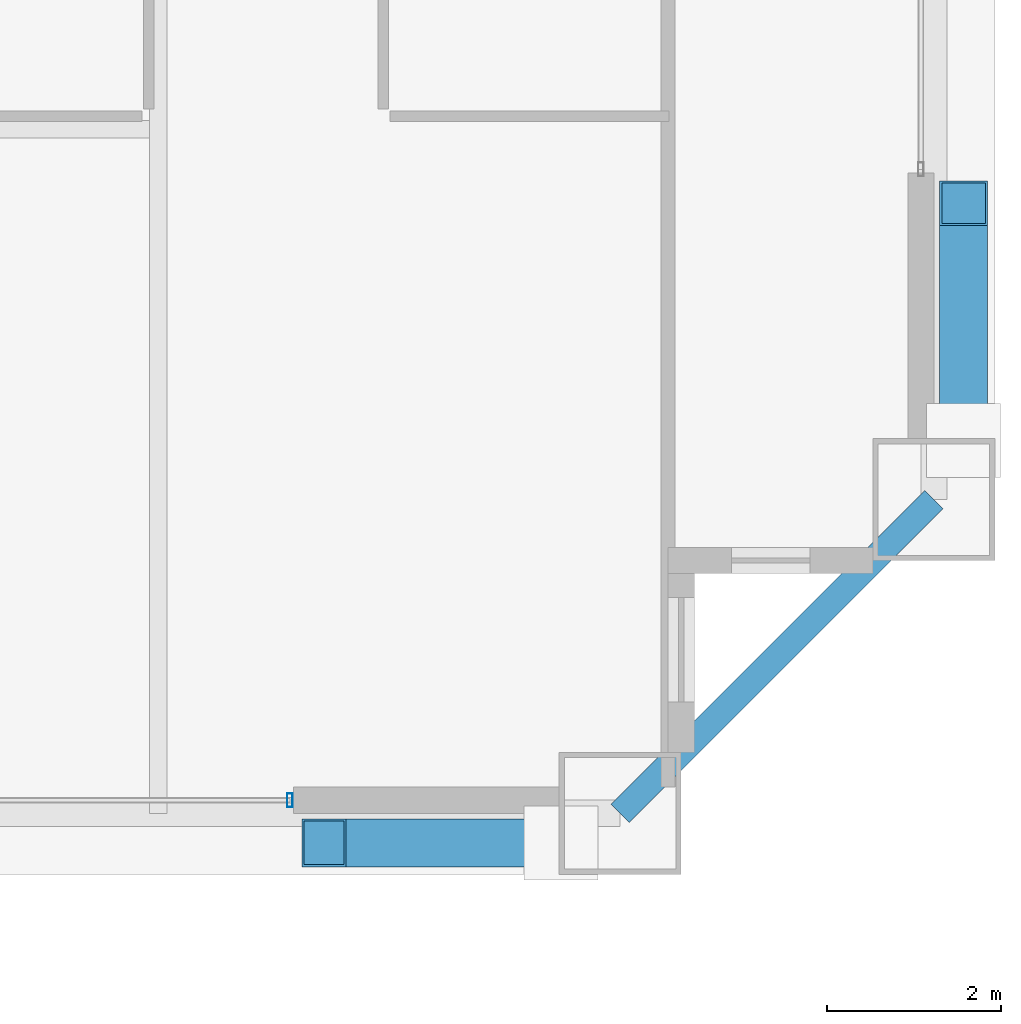
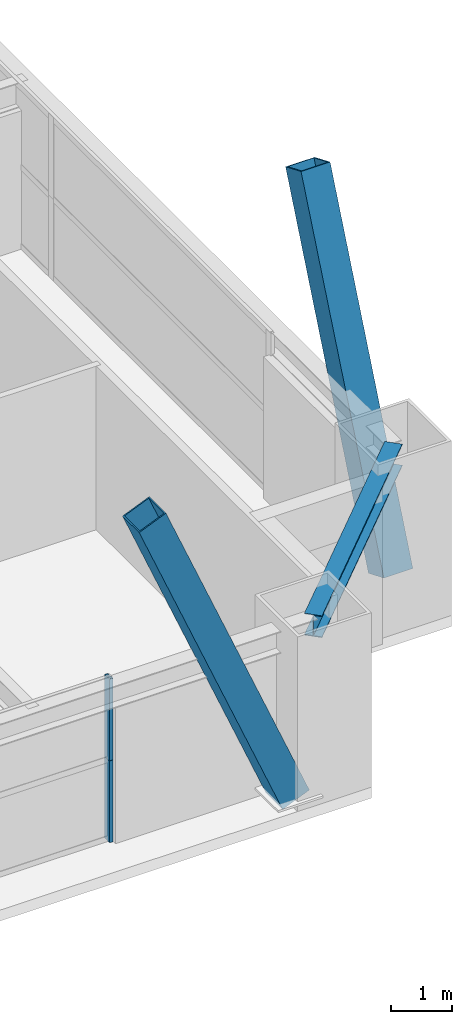
# One storey, part 17 of 42: 4 members, 1 beam, 1 element without a shape of its own.
"""IFC4 building model written with IfcOpenShell, lengths in metres."""

from ifc_helpers import new_model, si_unit, direction, frame, origin, origin_2d, place, context, subcontext, project, spatial, hollow_rectangle, i_section, extrude, source, transform, mapped, material, layer, layer_set, material_profile, profile_set, type_object, element, aggregate, save


model = new_model("IFC4")

# Units and contexts
model_context = context("Model", 3, precision=1e-05, world=origin(), true_north=direction((0.0, 1.0)))
body_context = subcontext(model_context, "Body", "Model", "MODEL_VIEW")
ifc_project = project(units=[si_unit("LENGTHUNIT", "METRE"), si_unit("AREAUNIT", "SQUARE_METRE"), si_unit("VOLUMEUNIT", "CUBIC_METRE"), si_unit("PLANEANGLEUNIT", "RADIAN"), si_unit("MASSUNIT", "GRAM", prefix="KILO"), si_unit("THERMODYNAMICTEMPERATUREUNIT", "KELVIN"), si_unit("POWERUNIT", "WATT")], contexts=[model_context])

# Site, building, storey
site_placement = place(None, origin())
site = spatial("IfcSite", under=ifc_project, at=site_placement, CompositionType="ELEMENT")
building_placement = place(site_placement, origin())
building = spatial("IfcBuilding", under=site, at=building_placement, Name="Yuzanri Waterfront Tower", CompositionType="ELEMENT")
storey_placement = place(building_placement, frame((0.0, 0.0, 184.5)))
storey = spatial("IfcBuildingStorey", under=building, at=storey_placement, Name="L48", CompositionType="ELEMENT", Elevation=184.5)

# Beam
ifc_material_1 = material(Name="Steel Q355B", Category="steel")
ifc_material_profile_1 = material_profile(ifc_material_1, i_section(OverallWidth=0.300048828125, OverallDepth=0.43994140625, WebThickness=0.010986328125, FlangeThickness=0.01806640625, at=origin_2d()), Name="HM 440x300x11x18")
ifc_profile_set_1 = profile_set([ifc_material_profile_1], Name="Steel Q355B")
beam_type = type_object("IfcBeamType", Name="Perimeter Spandrel Q355B HM 440x300", PredefinedType="SPANDREL", material=ifc_profile_set_1)
shared_shape_1 = source(origin(), body_context, "Body", "SweptSolid", [
    extrude(i_section(OverallWidth=0.300048828125, OverallDepth=0.43994140625, WebThickness=0.010986328125, FlangeThickness=0.01806640625, at=origin_2d()), origin(), (0.0, 0.0, 1.0), 5.09130859375),
])
beam_placement = place(storey_placement, frame((55.5, 3.699951171875, 3.06005859375), z_axis=(0.707106781187, 0.707106781187, 0.0), x_axis=(-0.707106781187, 0.707106781187, 0.0)))
element("IfcBeam", 1, at=beam_placement, inside=storey, type_object=beam_type, Name="L48 Perimeter Spandrel S3-E1", PredefinedType="SPANDREL", context=body_context, shape_type="MappedRepresentation", body=[
    mapped(shared_shape_1, transform((0.0, 0.0, 0.0), scale=1.0)),
])

# Members
ifc_material_2 = material(Name="Steel Q390GJC", Category="steel")
ifc_material_profile_2 = material_profile(ifc_material_2, hollow_rectangle(XDim=0.550048828125, YDim=0.550048828125, WallThickness=0.02490234375, at=origin_2d()), Name="RHS 550x550x25")
ifc_profile_set_2 = profile_set([ifc_material_profile_2], Name="Steel Q390GJC")
member_type_1 = type_object("IfcMemberType", Name="Mega Brace Mid Q390GJC RHS 550x550x25", PredefinedType="BRACE", material=ifc_profile_set_2)
shared_shape_2 = source(origin(), body_context, "Body", "SweptSolid", [
    extrude(hollow_rectangle(XDim=0.550048828125, YDim=0.550048828125, WallThickness=0.02490234375, at=origin_2d()), origin(), (0.0, 0.0, 1.0), 7.046142578125),
])
for number, where, z_axis, x_axis, name in (
    (2, (54.820068359375, 3.360107421875, 0.179931640625), (-0.386022211732, 0.0, 0.922489486146), (0.0, -1.0, 0.0), "L48-L49 Perimeter Mega-Brace S-R"),
    (3, (59.43994140625, 7.97998046875, 0.179931640625), (0.0, 0.386022211732, 0.922489486146), (-1.0, 0.0, 0.0), "L48-L49 Perimeter Mega-Brace E-L"),
):
    element("IfcMember", number, at=place(storey_placement, frame(where, z_axis=z_axis, x_axis=x_axis)), inside=storey, type_object=member_type_1, Name=name, PredefinedType="BRACE", context=body_context, shape_type="MappedRepresentation", body=[
        mapped(shared_shape_2, transform((0.0, 0.0, 0.0), scale=1.0)),
    ])

# Curtain wall, members
ifc_material_3 = material(Name="Anodized Architectural Bronze", Category="metal")
ifc_layer = layer(ifc_material_3, 0.159912109375)
ifc_layer_set = layer_set([ifc_layer], Name="Anodized Architectural Bronze")
curtain_wall_type = type_object("IfcCurtainWallType", Name="Anodized Bronze Mid-Rise Residential Acoustic Unitized Curtain Wall 7200", PredefinedType="NOTDEFINED", material=ifc_layer_set)
curtain_wall_placement = place(storey_placement, origin())
curtain_wall = element("IfcCurtainWall", 4, at=curtain_wall_placement, inside=storey, type_object=curtain_wall_type, Name="L48 Curtain Wall CW-L48-SR", PredefinedType="NOTDEFINED")
ifc_material_4 = material(Name="Anodized Architectural Bronze", Category="metal")
ifc_material_profile_3 = material_profile(ifc_material_4, hollow_rectangle(XDim=0.06494140625, YDim=0.159912109375, WallThickness=0.00341796875, at=origin_2d()), Name="CWM 65x160")
ifc_profile_set_3 = profile_set([ifc_material_profile_3], Name="Anodized Architectural Bronze")
member_type_2 = type_object("IfcMemberType", Name="Anodized Bronze Upper-Zone Curtain-Wall Mullion 65x160", PredefinedType="MULLION", material=ifc_profile_set_3)
shared_shape_3 = source(origin(), body_context, "Body", "SweptSolid", [
    extrude(hollow_rectangle(XDim=0.06494140625, YDim=0.159912109375, WallThickness=0.00341796875, at=origin_2d()), origin(), (0.0, 0.0, 1.0), 1.637939453125),
])
member_1_placement = place(storey_placement, frame((51.7099609375, 3.85009765625, 0.0), z_axis=(0.0, 0.0, 1.0), x_axis=(1.0, 0.0, 0.0)))
member_1 = element("IfcMember", 5, at=member_1_placement, type_object=member_type_2, Name="CW-L48-SR Lower Mullion 02", PredefinedType="MULLION", context=body_context, shape_type="MappedRepresentation", body=[
    mapped(shared_shape_3, transform((0.0, 0.0, 0.0), scale=1.0)),
])
member_2_placement = place(storey_placement, frame((51.7099609375, 3.85009765625, 1.64208984375), z_axis=(0.0, 0.0, 1.0), x_axis=(1.0, 0.0, 0.0)))
member_2 = element("IfcMember", 6, at=member_2_placement, type_object=member_type_2, Name="CW-L48-SR Upper Mullion 02", PredefinedType="MULLION", context=body_context, shape_type="MappedRepresentation", body=[
    mapped(shared_shape_3, transform((0.0, 0.0, 0.0), scale=1.0)),
])
aggregate(curtain_wall, [member_1, member_2])

save(model, "model.ifc")
